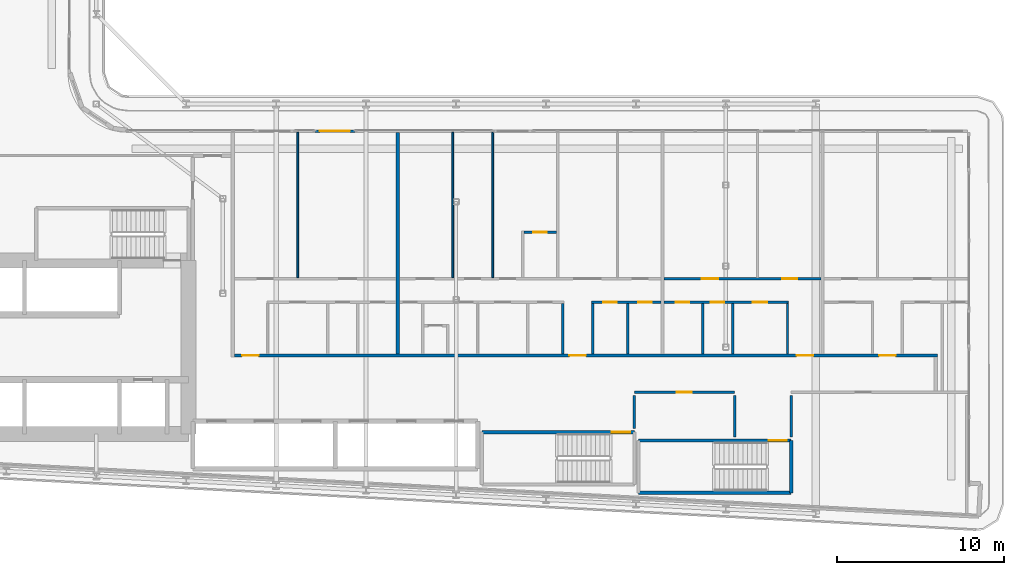
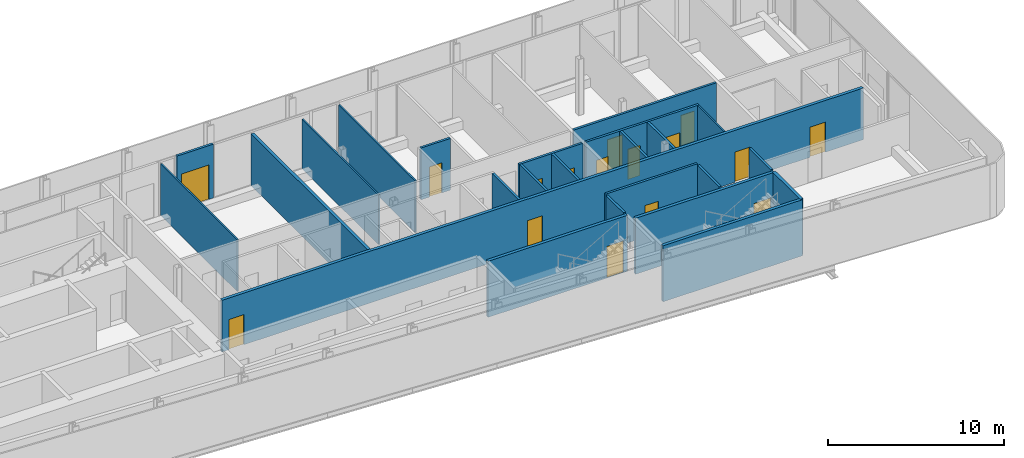
# One storey, part 15 of 28: 24 walls, 16 doors, 16 openings.
"""IFC4 building model written with IfcOpenShell, lengths in metres."""

from ifc_helpers import new_model, si_unit, direction, frame, frame_2d, origin, place, context, subcontext, project, spatial, rectangle, extrude, source, transform, mapped, material, layer, layer_set, type_object, element, fill, save


model = new_model("IFC4")

# Units and contexts
model_context = context("Model", 3, precision=1e-05, world=origin(), true_north=direction((0.0, 1.0)))
body_context = subcontext(model_context, "Body", "Model", "MODEL_VIEW")
ifc_project = project(units=[si_unit("LENGTHUNIT", "METRE"), si_unit("AREAUNIT", "SQUARE_METRE"), si_unit("VOLUMEUNIT", "CUBIC_METRE"), si_unit("PLANEANGLEUNIT", "RADIAN"), si_unit("MASSUNIT", "GRAM", prefix="KILO")], contexts=[model_context])

# Site, building, storey
site_placement = place(None, origin())
site = spatial("IfcSite", under=ifc_project, at=site_placement, CompositionType="ELEMENT")
building_placement = place(site_placement, origin())
building = spatial("IfcBuilding", under=site, at=building_placement, Name="Kheshtan School and Residences Tower", CompositionType="ELEMENT")
storey_placement = place(building_placement, frame((0.0, 0.0, 125.300048828125)))
storey = spatial("IfcBuildingStorey", under=building, at=storey_placement, Name="L29", CompositionType="ELEMENT", Elevation=125.300048828125)

# Wall, openings, doors
ifc_material_1 = material(Name="Gypsum board on steel studs with fire boards", Category="steel")
ifc_layer_1 = layer(ifc_material_1, 0.199951171875)
ifc_layer_set_1 = layer_set([ifc_layer_1], Name="Corridor wall 200")
wall_type_1 = type_object("IfcWallType", Name="Corridor wall 200", PredefinedType="PARTITIONING", material=ifc_layer_set_1)
wall_1_placement = place(storey_placement, frame((55.89990234375, 30.5, 0.0), z_axis=(0.0, 0.0, 1.0), x_axis=(1.0, 0.0, 0.0)))
wall_1 = element("IfcWall", 1, at=wall_1_placement, inside=storey, type_object=wall_type_1, Name="Partition L29-047", PredefinedType="PARTITIONING", context=body_context, shape_type="SweptSolid", body=[
    extrude(rectangle(XDim=42.2001953125, YDim=0.199951171875, at=frame_2d((21.10009765625, 0.0))), origin(), (0.0, 0.0, 1.0), 3.599853515625),
])
opening_1_placement = place(wall_1_placement, frame((0.449951171875, 0.0, 0.0)))
opening_1 = element("IfcOpeningElement", 2, at=opening_1_placement, cuts=wall_1, Name="Opening D29-003", PredefinedType="OPENING", context=body_context, shape_type="SweptSolid", body=[
    extrude(rectangle(XDim=1.0, YDim=2.10009765625, at=frame_2d((0.5, 1.050048828125))), frame((0.0, 0.10986328125, 0.0), z_axis=(0.0, -1.0, 0.0), x_axis=(1.0, 0.0, 0.0)), (0.0, 0.0, 1.0), 0.219970703125),
])
opening_2_placement = place(wall_1_placement, frame((20.10009765625, 0.0, 0.0)))
opening_2 = element("IfcOpeningElement", 3, at=opening_2_placement, cuts=wall_1, Name="Opening D29-013", PredefinedType="OPENING", context=body_context, shape_type="SweptSolid", body=[
    extrude(rectangle(XDim=1.0, YDim=2.10009765625, at=frame_2d((0.5, 1.050048828125))), frame((0.0, 0.10986328125, 0.0), z_axis=(0.0, -1.0, 0.0), x_axis=(1.0, 0.0, 0.0)), (0.0, 0.0, 1.0), 0.219970703125),
])
opening_3_placement = place(wall_1_placement, frame((33.75, 0.0, 0.0)))
opening_3 = element("IfcOpeningElement", 4, at=opening_3_placement, cuts=wall_1, Name="Opening D29-023", PredefinedType="OPENING", context=body_context, shape_type="SweptSolid", body=[
    extrude(rectangle(XDim=1.0, YDim=2.10009765625, at=frame_2d((0.5, 1.050048828125))), frame((0.0, 0.10986328125, 0.0), z_axis=(0.0, -1.0, 0.0), x_axis=(1.0, 0.0, 0.0)), (0.0, 0.0, 1.0), 0.219970703125),
])
opening_4_placement = place(wall_1_placement, frame((38.699951171875, 0.0, 0.0)))
opening_4 = element("IfcOpeningElement", 5, at=opening_4_placement, cuts=wall_1, Name="Opening D29-029", PredefinedType="OPENING", context=body_context, shape_type="SweptSolid", body=[
    extrude(rectangle(XDim=1.0, YDim=2.10009765625, at=frame_2d((0.5, 1.050048828125))), frame((0.0, 0.10986328125, 0.0), z_axis=(0.0, -1.0, 0.0), x_axis=(1.0, 0.0, 0.0)), (0.0, 0.0, 1.0), 0.219970703125),
])
ifc_material_2 = material(Name="Steel-framed fire-resisting door leaf", Category="steel")
door_type_1 = type_object("IfcDoorType", Name="Fire door FD30S 1000 x 2100", OperationType="SINGLE_SWING_LEFT", PredefinedType="DOOR", material=ifc_material_2)
shared_shape_1 = source(origin(), body_context, "Body", "SweptSolid", [
    extrude(rectangle(XDim=1.0, YDim=2.10009765625, at=frame_2d((0.5, 1.050048828125))), frame((0.0, 0.02490234375, 0.0), z_axis=(0.0, -1.0, 0.0), x_axis=(1.0, 0.0, 0.0)), (0.0, 0.0, 1.0), 0.050048828125),
])
door_1_placement = place(opening_1_placement, origin())
door_1 = element("IfcDoor", 6, at=door_1_placement, inside=storey, type_object=door_type_1, Name="Door D29-003", OperationType="SINGLE_SWING_RIGHT", OverallHeight=2.10009765625, OverallWidth=1.0, PredefinedType="DOOR", context=body_context, shape_type="MappedRepresentation", body=[
    mapped(shared_shape_1, transform((0.0, 0.0, 0.0), x_axis=(1.0, 0.0, 0.0), y_axis=(0.0, 1.0, 0.0), z_axis=(0.0, 0.0, 1.0), scale=1.0)),
])
fill(opening_1, door_1)
door_2_placement = place(opening_2_placement, origin())
door_2 = element("IfcDoor", 7, at=door_2_placement, inside=storey, type_object=door_type_1, Name="Door D29-013", OperationType="SINGLE_SWING_LEFT", OverallHeight=2.10009765625, OverallWidth=1.0, PredefinedType="DOOR", context=body_context, shape_type="MappedRepresentation", body=[
    mapped(shared_shape_1, transform((0.0, 0.0, 0.0), x_axis=(1.0, 0.0, 0.0), y_axis=(0.0, 1.0, 0.0), z_axis=(0.0, 0.0, 1.0), scale=1.0)),
])
fill(opening_2, door_2)
door_3_placement = place(opening_3_placement, origin())
door_3 = element("IfcDoor", 8, at=door_3_placement, inside=storey, type_object=door_type_1, Name="Door D29-023", OperationType="SINGLE_SWING_RIGHT", OverallHeight=2.10009765625, OverallWidth=1.0, PredefinedType="DOOR", context=body_context, shape_type="MappedRepresentation", body=[
    mapped(shared_shape_1, transform((0.0, 0.0, 0.0), x_axis=(1.0, 0.0, 0.0), y_axis=(0.0, 1.0, 0.0), z_axis=(0.0, 0.0, 1.0), scale=1.0)),
])
fill(opening_3, door_3)
door_4_placement = place(opening_4_placement, origin())
door_4 = element("IfcDoor", 9, at=door_4_placement, inside=storey, type_object=door_type_1, Name="Door D29-029", OperationType="SINGLE_SWING_LEFT", OverallHeight=2.10009765625, OverallWidth=1.0, PredefinedType="DOOR", context=body_context, shape_type="MappedRepresentation", body=[
    mapped(shared_shape_1, transform((0.0, 0.0, 0.0), x_axis=(1.0, 0.0, 0.0), y_axis=(0.0, 1.0, 0.0), z_axis=(0.0, 0.0, 1.0), scale=1.0)),
])
fill(opening_4, door_4)

# Wall, opening, door
ifc_material_3 = material(Name="Aluminium frame wall with insulated infill", Category="aluminium")
ifc_layer_2 = layer(ifc_material_3, 0.14990234375)
ifc_layer_set_2 = layer_set([ifc_layer_2], Name="Glazing frame wall 150")
wall_type_2 = type_object("IfcWallType", Name="Glazing frame wall 150", PredefinedType="SOLIDWALL", material=ifc_layer_set_2)
wall_2_placement = place(storey_placement, frame((60.72412109375, 43.97509765625, 0.0), z_axis=(0.0, 0.0, 1.0), x_axis=(1.0, 0.0, 0.0)))
wall_2 = element("IfcWall", 10, at=wall_2_placement, inside=storey, type_object=wall_type_2, Name="Balcony door wall L29 12.2", PredefinedType="SOLIDWALL", context=body_context, shape_type="SweptSolid", body=[
    extrude(rectangle(XDim=2.39990234375, YDim=0.14990234375, at=frame_2d((1.199951171875, 0.0))), origin(), (0.0, 0.0, 1.0), 3.75),
])
opening_5_placement = place(wall_2_placement, frame((0.300048828125, 0.0, 0.0)))
opening_5 = element("IfcOpeningElement", 11, at=opening_5_placement, cuts=wall_2, Name="Opening BD", PredefinedType="OPENING", context=body_context, shape_type="SweptSolid", body=[
    extrude(rectangle(XDim=1.800048828125, YDim=2.39990234375, at=frame_2d((0.89990234375, 1.199951171875))), frame((0.0, 0.0849609375, 0.0), z_axis=(0.0, -1.0, 0.0), x_axis=(1.0, 0.0, 0.0)), (0.0, 0.0, 1.0), 0.169921875),
])
ifc_material_4 = material(Name="Clear low-e glass in thermally broken aluminium frame", Category="aluminium")
door_type_2 = type_object("IfcDoorType", Name="Balcony sliding door", OperationType="SLIDING_TO_LEFT", PredefinedType="DOOR", material=ifc_material_4)
shared_shape_2 = source(origin(), body_context, "Body", "SweptSolid", [
    extrude(rectangle(XDim=1.800048828125, YDim=2.39990234375, at=frame_2d((0.89990234375, 1.199951171875))), frame((0.0, 0.02490234375, 0.0), z_axis=(0.0, -1.0, 0.0), x_axis=(1.0, 0.0, 0.0)), (0.0, 0.0, 1.0), 0.050048828125),
])
door_5_placement = place(opening_5_placement, origin())
door_5 = element("IfcDoor", 12, at=door_5_placement, inside=storey, type_object=door_type_2, Name="Balcony door L29 12.2", OperationType="SLIDING_TO_LEFT", OverallHeight=2.39990234375, OverallWidth=1.800048828125, PredefinedType="DOOR", context=body_context, shape_type="MappedRepresentation", body=[
    mapped(shared_shape_2, transform((0.0, 0.0, 0.0), x_axis=(1.0, 0.0, 0.0), y_axis=(0.0, 1.0, 0.0), z_axis=(0.0, 0.0, 1.0), scale=1.0)),
])
fill(opening_5, door_5)

# Walls
ifc_material_5 = material(Name="Gypsum board on steel studs", Category="steel")
ifc_layer_3 = layer(ifc_material_5, 0.10009765625)
ifc_layer_set_3 = layer_set([ifc_layer_3], Name="Gypsum partition 100")
wall_type_3 = type_object("IfcWallType", Name="Gypsum partition 100", PredefinedType="PARTITIONING", material=ifc_layer_set_3)
wall_3_placement = place(storey_placement, frame((59.699951171875, 35.175048828125, 0.0), z_axis=(0.0, 0.0, 1.0), x_axis=(0.0, 1.0, 0.0)))
element("IfcWall", 13, at=wall_3_placement, inside=storey, type_object=wall_type_3, Name="Partition L29-051", PredefinedType="PARTITIONING", context=body_context, shape_type="SweptSolid", body=[
    extrude(rectangle(XDim=8.724853515625, YDim=0.10009765625, at=frame_2d((4.3623046875, 0.0))), origin(), (0.0, 0.0, 1.0), 3.599853515625),
])
wall_4_placement = place(storey_placement, frame((69.0, 35.175048828125, 0.0), z_axis=(0.0, 0.0, 1.0), x_axis=(0.0, 1.0, 0.0)))
element("IfcWall", 14, at=wall_4_placement, inside=storey, type_object=wall_type_3, Name="Partition L29-060", PredefinedType="PARTITIONING", context=body_context, shape_type="SweptSolid", body=[
    extrude(rectangle(XDim=8.724853515625, YDim=0.10009765625, at=frame_2d((4.3623046875, 0.0))), origin(), (0.0, 0.0, 1.0), 3.447021484375),
])
wall_5_placement = place(storey_placement, frame((71.39990234375, 35.175048828125, 0.0), z_axis=(0.0, 0.0, 1.0), x_axis=(0.0, 1.0, 0.0)))
element("IfcWall", 15, at=wall_5_placement, inside=storey, type_object=wall_type_3, Name="Partition L29-062", PredefinedType="PARTITIONING", context=body_context, shape_type="SweptSolid", body=[
    extrude(rectangle(XDim=8.724853515625, YDim=0.10009765625, at=frame_2d((4.3623046875, 0.0))), origin(), (0.0, 0.0, 1.0), 3.599853515625),
])
wall_6_placement = place(storey_placement, frame((89.10009765625, 30.60009765625, 0.0), z_axis=(0.0, 0.0, 1.0), x_axis=(0.0, 1.0, 0.0)))
element("IfcWall", 16, at=wall_6_placement, inside=storey, type_object=wall_type_3, Name="Partition L29-078", PredefinedType="PARTITIONING", context=body_context, shape_type="SweptSolid", body=[
    extrude(rectangle(XDim=3.02490234375, YDim=0.10009765625, at=frame_2d((1.512451171875, 0.0))), origin(), (0.0, 0.0, 1.0), 3.599853515625),
])

# Wall, opening, door
ifc_material_6 = material(Name="Fire-board shaft wall system")
ifc_layer_4 = layer(ifc_material_6, 0.14990234375)
ifc_layer_set_4 = layer_set([ifc_layer_4], Name="Service room wall 150")
wall_type_4 = type_object("IfcWallType", Name="Service room wall 150", PredefinedType="PARTITIONING", material=ifc_layer_set_4)
wall_7_placement = place(storey_placement, frame((79.909912109375, 28.300048828125, 0.0), z_axis=(0.0, 0.0, 1.0), x_axis=(1.0, 0.0, 0.0)))
wall_7 = element("IfcWall", 17, at=wall_7_placement, inside=storey, type_object=wall_type_4, Name="Service room wall", PredefinedType="PARTITIONING", context=body_context, shape_type="SweptSolid", body=[
    extrude(rectangle(XDim=6.010009765625, YDim=0.14990234375, at=frame_2d((3.0048828125, 0.0))), origin(), (0.0, 0.0, 1.0), 3.89990234375),
])
opening_6_placement = place(wall_7_placement, frame((2.554931640625, 0.0, 0.0)))
opening_6 = element("IfcOpeningElement", 18, at=opening_6_placement, cuts=wall_7, Name="Opening SR90", PredefinedType="OPENING", context=body_context, shape_type="SweptSolid", body=[
    extrude(rectangle(XDim=0.89990234375, YDim=2.199951171875, at=frame_2d((0.449951171875, 1.10009765625))), frame((0.0, 0.0849609375, 0.0), z_axis=(0.0, -1.0, 0.0), x_axis=(1.0, 0.0, 0.0)), (0.0, 0.0, 1.0), 0.169921875),
])
ifc_material_7 = material(Name="Steel door leaf, galvanised", Category="steel")
door_type_3 = type_object("IfcDoorType", Name="Service room door 900 steel 90 min", OperationType="SINGLE_SWING_LEFT", PredefinedType="DOOR", material=ifc_material_7)
shared_shape_3 = source(origin(), body_context, "Body", "SweptSolid", [
    extrude(rectangle(XDim=0.89990234375, YDim=2.199951171875, at=frame_2d((0.449951171875, 1.10009765625))), frame((0.0, 0.02490234375, 0.0), z_axis=(0.0, -1.0, 0.0), x_axis=(1.0, 0.0, 0.0)), (0.0, 0.0, 1.0), 0.050048828125),
])
door_6_placement = place(opening_6_placement, origin())
door_6 = element("IfcDoor", 19, at=door_6_placement, inside=storey, type_object=door_type_3, Name="Service room door", OperationType="SINGLE_SWING_LEFT", OverallHeight=2.199951171875, OverallWidth=0.89990234375, PredefinedType="DOOR", context=body_context, shape_type="MappedRepresentation", body=[
    mapped(shared_shape_3, transform((0.0, 0.0, 0.0), x_axis=(1.0, 0.0, 0.0), y_axis=(0.0, 1.0, 0.0), z_axis=(0.0, 0.0, 1.0), scale=1.0)),
])
fill(opening_6, door_6)

# Walls
wall_8_placement = place(storey_placement, frame((79.909912109375, 26.1201171875, 0.0), z_axis=(0.0, 0.0, 1.0), x_axis=(0.0, 1.0, 0.0)))
element("IfcWall", 20, at=wall_8_placement, inside=storey, type_object=wall_type_4, Name="Service room wall", PredefinedType="PARTITIONING", context=body_context, shape_type="SweptSolid", body=[
    extrude(rectangle(XDim=1.98486328125, YDim=0.14990234375, at=frame_2d((0.992431640625, 0.0))), origin(), (0.0, 0.0, 1.0), 3.89990234375),
])
for number, where, z_axis, x_axis, name in (
    (21, (85.919921875, 25.6201171875, 0.0), (0.0, 0.0, 1.0), (0.0, 1.0, 0.0), "Service room wall"),
    (22, (89.320068359375, 25.6201171875, 0.0), (0.0, 0.0, 1.0), (0.0, 1.0, 0.0), "Service room wall"),
):
    element("IfcWall", number, at=place(storey_placement, frame(where, z_axis=z_axis, x_axis=x_axis)), inside=storey, type_object=wall_type_4, Name=name, PredefinedType="PARTITIONING", context=body_context, shape_type="SweptSolid", body=[
        extrude(rectangle(XDim=2.48486328125, YDim=0.14990234375, at=frame_2d((1.242431640625, 0.0))), origin(), (0.0, 0.0, 1.0), 3.89990234375),
    ])
ifc_material_8 = material(Name="Concrete C40/50", Category="concrete")
ifc_layer_5 = layer(ifc_material_8, 0.199951171875)
ifc_layer_set_5 = layer_set([ifc_layer_5], Name="Stair enclosure wall 200 Concrete C40/50")
wall_type_5 = type_object("IfcWallType", Name="Stair enclosure wall 200 Concrete C40/50", PredefinedType="SHEAR", material=ifc_layer_set_5)
wall_9_placement = place(storey_placement, frame((80.159912109375, 22.25, 0.0), z_axis=(0.0, 0.0, 1.0), x_axis=(1.0, 0.0, 0.0)))
element("IfcWall", 23, at=wall_9_placement, inside=storey, type_object=wall_type_5, Name="Stair enclosure wall ST4", PredefinedType="SHEAR", context=body_context, shape_type="SweptSolid", body=[
    extrude(rectangle(XDim=9.16015625, YDim=0.199951171875, at=frame_2d((4.580078125, 0.0))), origin(), (0.0, 0.0, 1.0), 3.89990234375),
])

# Wall, opening, door
wall_10_placement = place(storey_placement, frame((80.159912109375, 25.39990234375, 0.0), z_axis=(0.0, 0.0, 1.0), x_axis=(1.0, 0.0, 0.0)))
wall_10 = element("IfcWall", 24, at=wall_10_placement, inside=storey, type_object=wall_type_5, Name="Stair enclosure wall ST4", PredefinedType="SHEAR", context=body_context, shape_type="SweptSolid", body=[
    extrude(rectangle(XDim=9.16015625, YDim=0.199951171875, at=frame_2d((4.580078125, 0.0))), origin(), (0.0, 0.0, 1.0), 3.89990234375),
])
opening_7_placement = place(wall_10_placement, frame((7.81005859375, 0.0, 0.0)))
opening_7 = element("IfcOpeningElement", 25, at=opening_7_placement, cuts=wall_10, Name="Opening ST4D", PredefinedType="OPENING", context=body_context, shape_type="SweptSolid", body=[
    extrude(rectangle(XDim=1.10009765625, YDim=2.199951171875, at=frame_2d((0.550048828125, 1.10009765625))), frame((0.0, 0.10986328125, 0.0), z_axis=(0.0, -1.0, 0.0), x_axis=(1.0, 0.0, 0.0)), (0.0, 0.0, 1.0), 0.219970703125),
])
door_type_4 = type_object("IfcDoorType", Name="Stair door 1100 steel 90 min", OperationType="SINGLE_SWING_LEFT", PredefinedType="DOOR", material=ifc_material_7)
shared_shape_4 = source(origin(), body_context, "Body", "SweptSolid", [
    extrude(rectangle(XDim=1.10009765625, YDim=2.199951171875, at=frame_2d((0.550048828125, 1.10009765625))), frame((0.0, 0.02490234375, 0.0), z_axis=(0.0, -1.0, 0.0), x_axis=(1.0, 0.0, 0.0)), (0.0, 0.0, 1.0), 0.050048828125),
])
door_7_placement = place(opening_7_placement, origin())
door_7 = element("IfcDoor", 26, at=door_7_placement, inside=storey, type_object=door_type_4, Name="Stair ST4 door", OperationType="SINGLE_SWING_LEFT", OverallHeight=2.199951171875, OverallWidth=1.10009765625, PredefinedType="DOOR", context=body_context, shape_type="MappedRepresentation", body=[
    mapped(shared_shape_4, transform((0.0, 0.0, 0.0), x_axis=(1.0, 0.0, 0.0), y_axis=(0.0, 1.0, 0.0), z_axis=(0.0, 0.0, 1.0), scale=1.0)),
])
fill(opening_7, door_7)

# Wall
wall_11_placement = place(storey_placement, frame((89.320068359375, 22.25, 0.0), z_axis=(0.0, 0.0, 1.0), x_axis=(0.0, 1.0, 0.0)))
element("IfcWall", 27, at=wall_11_placement, inside=storey, type_object=wall_type_5, Name="Stair enclosure wall ST4", PredefinedType="SHEAR", context=body_context, shape_type="SweptSolid", body=[
    extrude(rectangle(XDim=3.14990234375, YDim=0.199951171875, at=frame_2d((1.574951171875, 0.0))), origin(), (0.0, 0.0, 1.0), 3.89990234375),
])

# Wall, opening, door
wall_12_placement = place(storey_placement, frame((70.75, 25.89990234375, 0.0), z_axis=(0.0, 0.0, 1.0), x_axis=(1.0, 0.0, 0.0)))
wall_12 = element("IfcWall", 28, at=wall_12_placement, inside=storey, type_object=wall_type_5, Name="Stair enclosure wall ST5", PredefinedType="SHEAR", context=body_context, shape_type="SweptSolid", body=[
    extrude(rectangle(XDim=9.159912109375, YDim=0.199951171875, at=frame_2d((4.580078125, 0.0))), origin(), (0.0, 0.0, 1.0), 3.89990234375),
])
opening_8_placement = place(wall_12_placement, frame((7.81005859375, 0.0, 0.0)))
opening_8 = element("IfcOpeningElement", 29, at=opening_8_placement, cuts=wall_12, Name="Opening ST5D", PredefinedType="OPENING", context=body_context, shape_type="SweptSolid", body=[
    extrude(rectangle(XDim=1.10009765625, YDim=2.199951171875, at=frame_2d((0.550048828125, 1.10009765625))), frame((0.0, 0.10986328125, 0.0), z_axis=(0.0, -1.0, 0.0), x_axis=(1.0, 0.0, 0.0)), (0.0, 0.0, 1.0), 0.219970703125),
])
door_8_placement = place(opening_8_placement, origin())
door_8 = element("IfcDoor", 30, at=door_8_placement, inside=storey, type_object=door_type_4, Name="Stair ST5 door", OperationType="SINGLE_SWING_LEFT", OverallHeight=2.199951171875, OverallWidth=1.10009765625, PredefinedType="DOOR", context=body_context, shape_type="MappedRepresentation", body=[
    mapped(shared_shape_4, transform((0.0, 0.0, 0.0), x_axis=(1.0, 0.0, 0.0), y_axis=(0.0, 1.0, 0.0), z_axis=(0.0, 0.0, 1.0), scale=1.0)),
])
fill(opening_8, door_8)

# Wall
ifc_material_9 = material(Name="Twin gypsum board on steel studs with mineral wool", Category="steel")
ifc_layer_6 = layer(ifc_material_9, 0.199951171875)
ifc_layer_set_6 = layer_set([ifc_layer_6], Name="Unit demising wall 200")
wall_type_6 = type_object("IfcWallType", Name="Unit demising wall 200", PredefinedType="PARTITIONING", material=ifc_layer_set_6)
wall_13_placement = place(storey_placement, frame((65.699951171875, 30.60009765625, 0.0), z_axis=(0.0, 0.0, 1.0), x_axis=(0.0, 1.0, 0.0)))
element("IfcWall", 31, at=wall_13_placement, inside=storey, type_object=wall_type_6, Name="Partition L29-054", PredefinedType="PARTITIONING", context=body_context, shape_type="SweptSolid", body=[
    extrude(rectangle(XDim=13.2998046875, YDim=0.199951171875, at=frame_2d((6.64990234375, 0.0))), origin(), (0.0, 0.0, 1.0), 3.599853515625),
])

# Wall, opening, door
ifc_material_10 = material(Name="Moisture-resistant gypsum board on steel studs", Category="steel")
ifc_layer_7 = layer(ifc_material_10, 0.14990234375)
ifc_layer_set_7 = layer_set([ifc_layer_7], Name="Wet-room partition 150")
wall_type_7 = type_object("IfcWallType", Name="Wet-room partition 150", PredefinedType="PARTITIONING", material=ifc_layer_set_7)
wall_14_placement = place(storey_placement, frame((73.27490234375, 37.89990234375, 0.0), z_axis=(0.0, 0.0, 1.0), x_axis=(1.0, 0.0, 0.0)))
wall_14 = element("IfcWall", 32, at=wall_14_placement, inside=storey, type_object=wall_type_7, Name="Partition L29-064", PredefinedType="PARTITIONING", context=body_context, shape_type="SweptSolid", body=[
    extrude(rectangle(XDim=1.9501953125, YDim=0.14990234375, at=frame_2d((0.97509765625, 0.0))), origin(), (0.0, 0.0, 1.0), 3.599853515625),
])
opening_9_placement = place(wall_14_placement, frame((0.574951171875, 0.0, 0.0)))
opening_9 = element("IfcOpeningElement", 33, at=opening_9_placement, cuts=wall_14, Name="Opening D29-012", PredefinedType="OPENING", context=body_context, shape_type="SweptSolid", body=[
    extrude(rectangle(XDim=0.800048828125, YDim=2.10009765625, at=frame_2d((0.39990234375, 1.050048828125))), frame((0.0, 0.0849609375, 0.0), z_axis=(0.0, -1.0, 0.0), x_axis=(1.0, 0.0, 0.0)), (0.0, 0.0, 1.0), 0.169921875),
])
ifc_material_11 = material(Name="Veneered timber door leaf", Category="wood")
door_type_5 = type_object("IfcDoorType", Name="Door 800 x 2100", OperationType="SINGLE_SWING_LEFT", PredefinedType="DOOR", material=ifc_material_11)
shared_shape_5 = source(origin(), body_context, "Body", "SweptSolid", [
    extrude(rectangle(XDim=0.800048828125, YDim=2.10009765625, at=frame_2d((0.39990234375, 1.050048828125))), frame((0.0, 0.02490234375, 0.0), z_axis=(0.0, -1.0, 0.0), x_axis=(1.0, 0.0, 0.0)), (0.0, 0.0, 1.0), 0.050048828125),
])
door_9_placement = place(opening_9_placement, origin())
door_9 = element("IfcDoor", 34, at=door_9_placement, inside=storey, type_object=door_type_5, Name="Door D29-012", OperationType="SINGLE_SWING_LEFT", OverallHeight=2.10009765625, OverallWidth=0.800048828125, PredefinedType="DOOR", context=body_context, shape_type="MappedRepresentation", body=[
    mapped(shared_shape_5, transform((0.0, 0.0, 0.0), x_axis=(1.0, 0.0, 0.0), y_axis=(0.0, 1.0, 0.0), z_axis=(0.0, 0.0, 1.0), scale=1.0)),
])
fill(opening_9, door_9)

# Wall
wall_15_placement = place(storey_placement, frame((75.60009765625, 30.60009765625, 0.0), z_axis=(0.0, 0.0, 1.0), x_axis=(0.0, 1.0, 0.0)))
element("IfcWall", 35, at=wall_15_placement, inside=storey, type_object=wall_type_7, Name="Partition L29-067", PredefinedType="PARTITIONING", context=body_context, shape_type="SweptSolid", body=[
    extrude(rectangle(XDim=3.02490234375, YDim=0.14990234375, at=frame_2d((1.512451171875, 0.0))), origin(), (0.0, 0.0, 1.0), 3.599853515625),
])

# Wall, openings, doors
wall_16_placement = place(storey_placement, frame((77.324951171875, 33.699951171875, 0.0), z_axis=(0.0, 0.0, 1.0), x_axis=(1.0, 0.0, 0.0)))
wall_16 = element("IfcWall", 36, at=wall_16_placement, inside=storey, type_object=wall_type_7, Name="Partition L29-068", PredefinedType="PARTITIONING", context=body_context, shape_type="SweptSolid", body=[
    extrude(rectangle(XDim=4.175048828125, YDim=0.14990234375, at=frame_2d((2.08740234375, 0.0))), origin(), (0.0, 0.0, 1.0), 3.599853515625),
])
opening_10_placement = place(wall_16_placement, frame((0.72509765625, 0.0, 0.0)))
opening_10 = element("IfcOpeningElement", 37, at=opening_10_placement, cuts=wall_16, Name="Opening D29-008", PredefinedType="OPENING", context=body_context, shape_type="SweptSolid", body=[
    extrude(rectangle(XDim=0.800048828125, YDim=2.10009765625, at=frame_2d((0.39990234375, 1.050048828125))), frame((0.0, 0.0849609375, 0.0), z_axis=(0.0, -1.0, 0.0), x_axis=(1.0, 0.0, 0.0)), (0.0, 0.0, 1.0), 0.169921875),
])
opening_11_placement = place(wall_16_placement, frame((2.824951171875, 0.0, 0.0)))
opening_11 = element("IfcOpeningElement", 38, at=opening_11_placement, cuts=wall_16, Name="Opening D29-011", PredefinedType="OPENING", context=body_context, shape_type="SweptSolid", body=[
    extrude(rectangle(XDim=0.800048828125, YDim=2.10009765625, at=frame_2d((0.39990234375, 1.050048828125))), frame((0.0, 0.0849609375, 0.0), z_axis=(0.0, -1.0, 0.0), x_axis=(1.0, 0.0, 0.0)), (0.0, 0.0, 1.0), 0.169921875),
])
door_10_placement = place(opening_10_placement, origin())
door_10 = element("IfcDoor", 39, at=door_10_placement, inside=storey, type_object=door_type_5, Name="Door D29-008", OperationType="SINGLE_SWING_RIGHT", OverallHeight=2.10009765625, OverallWidth=0.800048828125, PredefinedType="DOOR", context=body_context, shape_type="MappedRepresentation", body=[
    mapped(shared_shape_5, transform((0.0, 0.0, 0.0), x_axis=(1.0, 0.0, 0.0), y_axis=(0.0, 1.0, 0.0), z_axis=(0.0, 0.0, 1.0), scale=1.0)),
])
fill(opening_10, door_10)
door_11_placement = place(opening_11_placement, origin())
door_11 = element("IfcDoor", 40, at=door_11_placement, inside=storey, type_object=door_type_5, Name="Door D29-011", OperationType="SINGLE_SWING_LEFT", OverallHeight=2.10009765625, OverallWidth=0.800048828125, PredefinedType="DOOR", context=body_context, shape_type="MappedRepresentation", body=[
    mapped(shared_shape_5, transform((0.0, 0.0, 0.0), x_axis=(1.0, 0.0, 0.0), y_axis=(0.0, 1.0, 0.0), z_axis=(0.0, 0.0, 1.0), scale=1.0)),
])
fill(opening_11, door_11)

# Walls
for number, where, z_axis, x_axis, name in (
    (41, (77.39990234375, 30.60009765625, 0.0), (0.0, 0.0, 1.0), (0.0, 1.0, 0.0), "Partition L29-069"),
    (42, (79.5, 30.60009765625, 0.0), (0.0, 0.0, 1.0), (0.0, 1.0, 0.0), "Partition L29-071"),
):
    element("IfcWall", number, at=place(storey_placement, frame(where, z_axis=z_axis, x_axis=x_axis)), inside=storey, type_object=wall_type_7, Name=name, PredefinedType="PARTITIONING", context=body_context, shape_type="SweptSolid", body=[
        extrude(rectangle(XDim=3.02490234375, YDim=0.14990234375, at=frame_2d((1.512451171875, 0.0))), origin(), (0.0, 0.0, 1.0), 3.599853515625),
    ])

# Wall, openings, doors
wall_17_placement = place(storey_placement, frame((81.699951171875, 33.699951171875, 0.0), z_axis=(0.0, 0.0, 1.0), x_axis=(1.0, 0.0, 0.0)))
wall_17 = element("IfcWall", 43, at=wall_17_placement, inside=storey, type_object=wall_type_7, Name="Partition L29-073", PredefinedType="PARTITIONING", context=body_context, shape_type="SweptSolid", body=[
    extrude(rectangle(XDim=7.449951171875, YDim=0.14990234375, at=frame_2d((3.72509765625, 0.0))), origin(), (0.0, 0.0, 1.0), 3.599853515625),
])
opening_12_placement = place(wall_17_placement, frame((0.699951171875, 0.0, 0.0)))
opening_12 = element("IfcOpeningElement", 44, at=opening_12_placement, cuts=wall_17, Name="Opening D29-021", PredefinedType="OPENING", context=body_context, shape_type="SweptSolid", body=[
    extrude(rectangle(XDim=0.800048828125, YDim=2.10009765625, at=frame_2d((0.39990234375, 1.050048828125))), frame((0.0, 0.0849609375, 0.0), z_axis=(0.0, -1.0, 0.0), x_axis=(1.0, 0.0, 0.0)), (0.0, 0.0, 1.0), 0.169921875),
])
opening_13_placement = place(wall_17_placement, frame((5.300048828125, 0.0, 0.0)))
opening_13 = element("IfcOpeningElement", 45, at=opening_13_placement, cuts=wall_17, Name="Opening D29-024", PredefinedType="OPENING", context=body_context, shape_type="SweptSolid", body=[
    extrude(rectangle(XDim=0.89990234375, YDim=2.10009765625, at=frame_2d((0.449951171875, 1.050048828125))), frame((0.0, 0.0849609375, 0.0), z_axis=(0.0, -1.0, 0.0), x_axis=(1.0, 0.0, 0.0)), (0.0, 0.0, 1.0), 0.169921875),
])
opening_14_placement = place(wall_17_placement, frame((2.800048828125, 0.0, 0.0)))
opening_14 = element("IfcOpeningElement", 46, at=opening_14_placement, cuts=wall_17, Name="Opening D29-026", PredefinedType="OPENING", context=body_context, shape_type="SweptSolid", body=[
    extrude(rectangle(XDim=0.800048828125, YDim=2.10009765625, at=frame_2d((0.39990234375, 1.050048828125))), frame((0.0, 0.0849609375, 0.0), z_axis=(0.0, -1.0, 0.0), x_axis=(1.0, 0.0, 0.0)), (0.0, 0.0, 1.0), 0.169921875),
])
door_12_placement = place(opening_12_placement, origin())
door_12 = element("IfcDoor", 47, at=door_12_placement, inside=storey, type_object=door_type_5, Name="Door D29-021", OperationType="SINGLE_SWING_RIGHT", OverallHeight=2.10009765625, OverallWidth=0.800048828125, PredefinedType="DOOR", context=body_context, shape_type="MappedRepresentation", body=[
    mapped(shared_shape_5, transform((0.0, 0.0, 0.0), x_axis=(1.0, 0.0, 0.0), y_axis=(0.0, 1.0, 0.0), z_axis=(0.0, 0.0, 1.0), scale=1.0)),
])
fill(opening_12, door_12)
door_13_placement = place(opening_14_placement, origin())
door_13 = element("IfcDoor", 48, at=door_13_placement, inside=storey, type_object=door_type_5, Name="Door D29-026", OperationType="SINGLE_SWING_LEFT", OverallHeight=2.10009765625, OverallWidth=0.800048828125, PredefinedType="DOOR", context=body_context, shape_type="MappedRepresentation", body=[
    mapped(shared_shape_5, transform((0.0, 0.0, 0.0), x_axis=(1.0, 0.0, 0.0), y_axis=(0.0, 1.0, 0.0), z_axis=(0.0, 0.0, 1.0), scale=1.0)),
])
fill(opening_14, door_13)
door_type_6 = type_object("IfcDoorType", Name="Door 900 x 2100", OperationType="SINGLE_SWING_LEFT", PredefinedType="DOOR", material=ifc_material_11)
shared_shape_6 = source(origin(), body_context, "Body", "SweptSolid", [
    extrude(rectangle(XDim=0.89990234375, YDim=2.10009765625, at=frame_2d((0.449951171875, 1.050048828125))), frame((0.0, 0.02490234375, 0.0), z_axis=(0.0, -1.0, 0.0), x_axis=(1.0, 0.0, 0.0)), (0.0, 0.0, 1.0), 0.050048828125),
])
door_14_placement = place(opening_13_placement, origin())
door_14 = element("IfcDoor", 49, at=door_14_placement, inside=storey, type_object=door_type_6, Name="Door D29-024", OperationType="SINGLE_SWING_RIGHT", OverallHeight=2.10009765625, OverallWidth=0.89990234375, PredefinedType="DOOR", context=body_context, shape_type="MappedRepresentation", body=[
    mapped(shared_shape_6, transform((0.0, 0.0, 0.0), x_axis=(1.0, 0.0, 0.0), y_axis=(0.0, 1.0, 0.0), z_axis=(0.0, 0.0, 1.0), scale=1.0)),
])
fill(opening_13, door_14)

wall_18_placement = place(storey_placement, frame((81.699951171875, 35.10009765625, 0.0), z_axis=(0.0, 0.0, 1.0), x_axis=(1.0, 0.0, 0.0)))
wall_18 = element("IfcWall", 50, at=wall_18_placement, inside=storey, type_object=wall_type_7, Name="Partition L29-074", PredefinedType="PARTITIONING", context=body_context, shape_type="SweptSolid", body=[
    extrude(rectangle(XDim=9.400146484375, YDim=0.14990234375, at=frame_2d((4.7001953125, 0.0))), origin(), (0.0, 0.0, 1.0), 3.599853515625),
])
opening_15_placement = place(wall_18_placement, frame((7.10009765625, 0.0, 0.0)))
opening_15 = element("IfcOpeningElement", 51, at=opening_15_placement, cuts=wall_18, Name="Opening D29-022", PredefinedType="OPENING", context=body_context, shape_type="SweptSolid", body=[
    extrude(rectangle(XDim=0.89990234375, YDim=2.10009765625, at=frame_2d((0.449951171875, 1.050048828125))), frame((0.0, 0.0849609375, 0.0), z_axis=(0.0, -1.0, 0.0), x_axis=(1.0, 0.0, 0.0)), (0.0, 0.0, 1.0), 0.169921875),
])
opening_16_placement = place(wall_18_placement, frame((2.25, 0.0, 0.0)))
opening_16 = element("IfcOpeningElement", 52, at=opening_16_placement, cuts=wall_18, Name="Opening D29-025", PredefinedType="OPENING", context=body_context, shape_type="SweptSolid", body=[
    extrude(rectangle(XDim=1.0, YDim=2.10009765625, at=frame_2d((0.5, 1.050048828125))), frame((0.0, 0.0849609375, 0.0), z_axis=(0.0, -1.0, 0.0), x_axis=(1.0, 0.0, 0.0)), (0.0, 0.0, 1.0), 0.169921875),
])
door_type_7 = type_object("IfcDoorType", Name="Door 1000 x 2100", OperationType="SINGLE_SWING_LEFT", PredefinedType="DOOR", material=ifc_material_11)
shared_shape_7 = source(origin(), body_context, "Body", "SweptSolid", [
    extrude(rectangle(XDim=1.0, YDim=2.10009765625, at=frame_2d((0.5, 1.050048828125))), frame((0.0, 0.02490234375, 0.0), z_axis=(0.0, -1.0, 0.0), x_axis=(1.0, 0.0, 0.0)), (0.0, 0.0, 1.0), 0.050048828125),
])
door_15_placement = place(opening_16_placement, origin())
door_15 = element("IfcDoor", 53, at=door_15_placement, inside=storey, type_object=door_type_7, Name="Door D29-025", OperationType="SINGLE_SWING_LEFT", OverallHeight=2.10009765625, OverallWidth=1.0, PredefinedType="DOOR", context=body_context, shape_type="MappedRepresentation", body=[
    mapped(shared_shape_7, transform((0.0, 0.0, 0.0), x_axis=(1.0, 0.0, 0.0), y_axis=(0.0, 1.0, 0.0), z_axis=(0.0, 0.0, 1.0), scale=1.0)),
])
fill(opening_16, door_15)
door_16_placement = place(opening_15_placement, origin())
door_16 = element("IfcDoor", 54, at=door_16_placement, inside=storey, type_object=door_type_6, Name="Door D29-022", OperationType="SINGLE_SWING_LEFT", OverallHeight=2.10009765625, OverallWidth=0.89990234375, PredefinedType="DOOR", context=body_context, shape_type="MappedRepresentation", body=[
    mapped(shared_shape_6, transform((0.0, 0.0, 0.0), x_axis=(1.0, 0.0, 0.0), y_axis=(0.0, 1.0, 0.0), z_axis=(0.0, 0.0, 1.0), scale=1.0)),
])
fill(opening_15, door_16)

# Walls
for number, where, z_axis, x_axis, name in (
    (55, (84.0, 30.60009765625, 0.0), (0.0, 0.0, 1.0), (0.0, 1.0, 0.0), "Partition L29-075"),
    (56, (85.800048828125, 30.60009765625, 0.0), (0.0, 0.0, 1.0), (0.0, 1.0, 0.0), "Partition L29-076"),
):
    element("IfcWall", number, at=place(storey_placement, frame(where, z_axis=z_axis, x_axis=x_axis)), inside=storey, type_object=wall_type_7, Name=name, PredefinedType="PARTITIONING", context=body_context, shape_type="SweptSolid", body=[
        extrude(rectangle(XDim=3.02490234375, YDim=0.14990234375, at=frame_2d((1.512451171875, 0.0))), origin(), (0.0, 0.0, 1.0), 3.599853515625),
    ])

save(model, "model.ifc")
